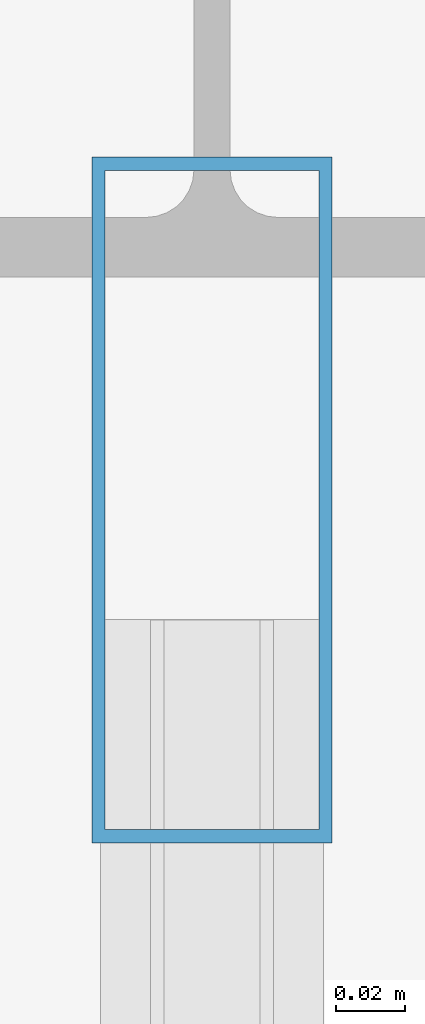
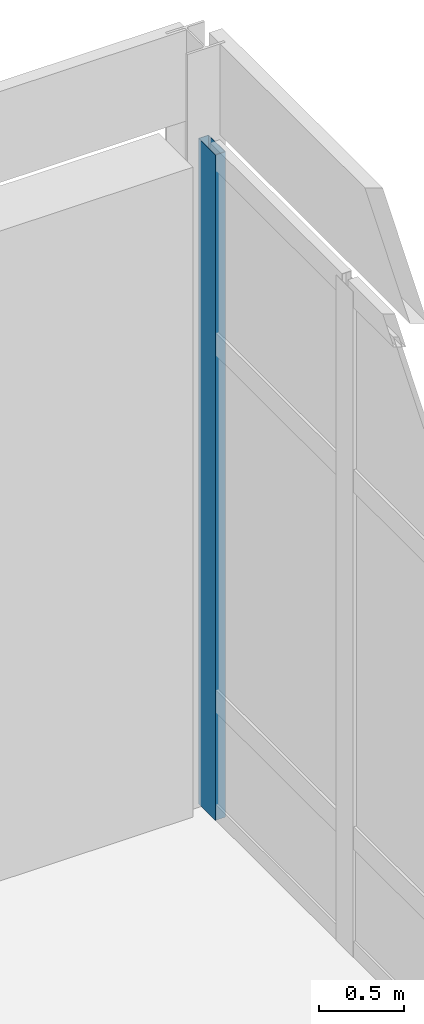
# One storey, part 82 of 137: 1 member, 1 element without a shape of its own.
"""IFC4 building model written with IfcOpenShell, lengths in metres."""

from ifc_helpers import new_model, si_unit, direction, frame, origin, origin_2d, place, context, subcontext, project, spatial, hollow_rectangle, extrude, material, material_profile, profile_set, type_object, element, aggregate, save


model = new_model("IFC4")

# Units and contexts
model_context = context("Model", 3, precision=1e-05, world=origin(), true_north=direction((0.0, 1.0)))
body_context = subcontext(model_context, "Body", "Model", "MODEL_VIEW")
ifc_project = project(units=[si_unit("LENGTHUNIT", "METRE"), si_unit("AREAUNIT", "SQUARE_METRE"), si_unit("VOLUMEUNIT", "CUBIC_METRE"), si_unit("PLANEANGLEUNIT", "RADIAN"), si_unit("MASSUNIT", "GRAM", prefix="KILO")], contexts=[model_context])

# Site, building, storey
site_placement = place(None, origin())
site = spatial("IfcSite", under=ifc_project, at=site_placement, CompositionType="ELEMENT")
building_placement = place(site_placement, origin())
building = spatial("IfcBuilding", under=site, at=building_placement, Name="Vondelvale Polytechnic", CompositionType="ELEMENT")
storey_placement = place(building_placement, origin())
storey = spatial("IfcBuildingStorey", under=building, at=storey_placement, Name="L00", CompositionType="ELEMENT", Elevation=0.0)

# Curtain wall, member
ifc_material = material(Name="Anodised extruded aluminium 6063-T6", Category="aluminium")
curtain_wall_type = type_object("IfcCurtainWallType", Name="CW-REFECTORY", PredefinedType="NOTDEFINED", material=ifc_material)
curtain_wall_placement = place(storey_placement, origin())
curtain_wall = element("IfcCurtainWall", 1, at=curtain_wall_placement, inside=storey, type_object=curtain_wall_type, Name="L00 architectural curtain wall CW-05-388", PredefinedType="NOTDEFINED")
ifc_material_profile = material_profile(ifc_material, hollow_rectangle(XDim=0.070068359375, YDim=0.199951171875, WallThickness=0.00390625, at=origin_2d()), Name="CW-MUL-200x70")
ifc_profile_set = profile_set([ifc_material_profile], Name="Anodised extruded aluminium 6063-T6")
member_type = type_object("IfcMemberType", Name="CW-MUL-70x200", PredefinedType="MULLION", material=ifc_profile_set)
member_placement = place(storey_placement, frame((172.800048828125, 91.60498046875, 0.0), z_axis=(0.0, 0.0, 1.0), x_axis=(-1.0, 0.0, 0.0)))
member = element("IfcMember", 2, at=member_placement, type_object=member_type, Name="CW-05-388 mullion 7", PredefinedType="MULLION", context=body_context, shape_type="SweptSolid", body=[
    extrude(hollow_rectangle(XDim=0.070068359375, YDim=0.199951171875, WallThickness=0.00390625, at=origin_2d()), origin(), (0.0, 0.0, 1.0), 4.75),
])
aggregate(curtain_wall, [member])

save(model, "model.ifc")
